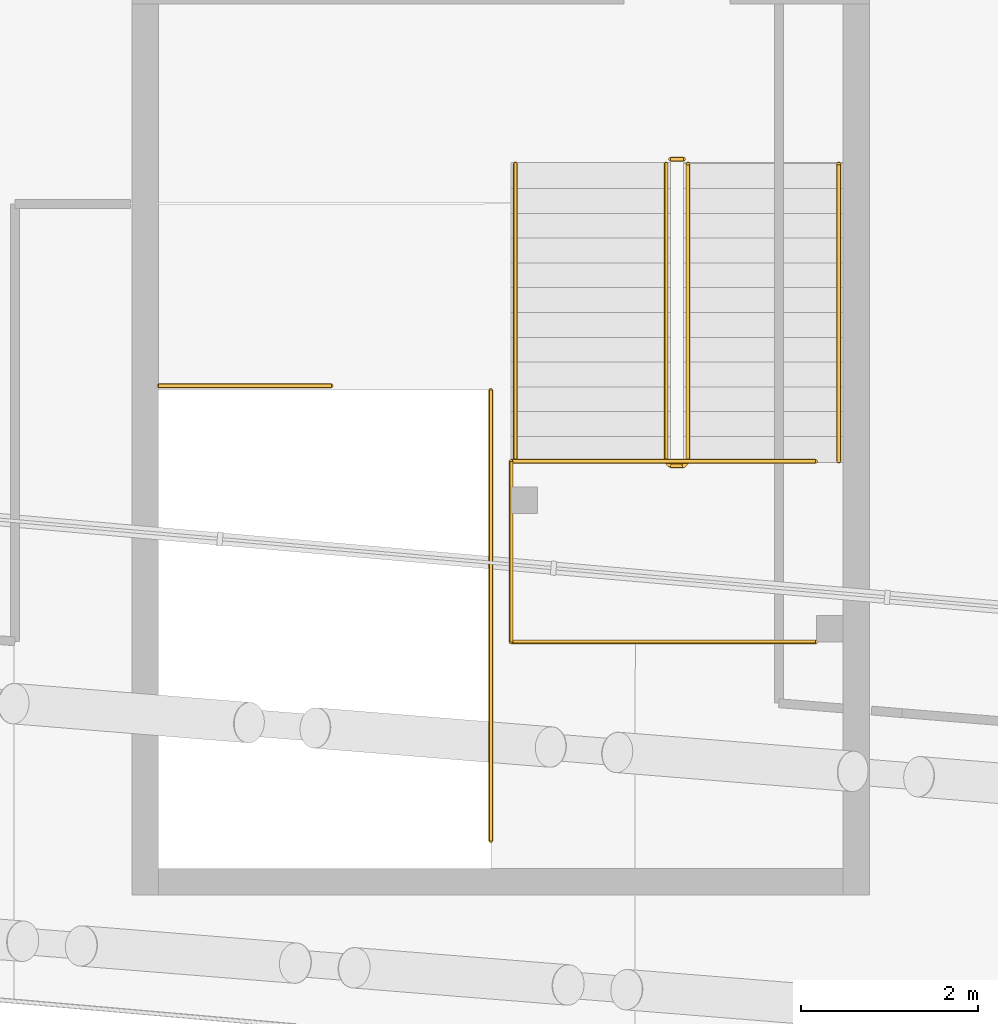
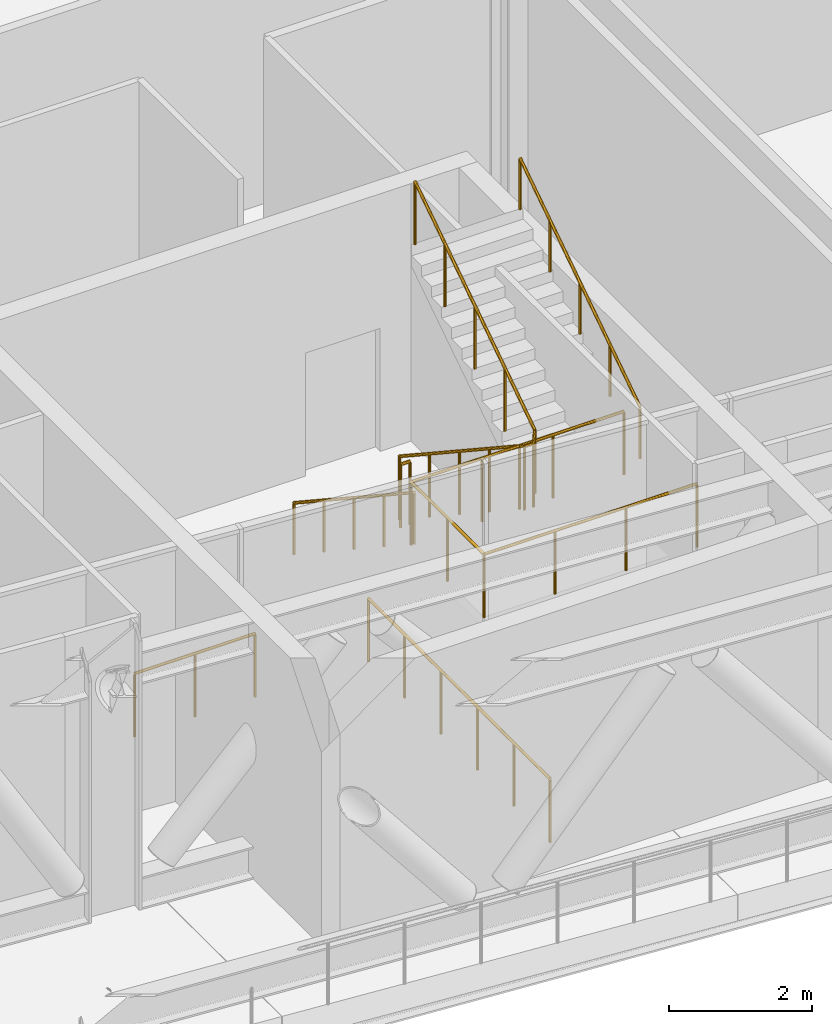
# One storey, part 36 of 39: 9 railings.
"""IFC4 building model written with IfcOpenShell, lengths in metres."""

from ifc_helpers import new_model, si_unit, direction, frame, origin, origin_2d, place, context, subcontext, project, spatial, circle, extrude, material, type_object, element, save


model = new_model("IFC4")

# Units and contexts
model_context = context("Model", 3, precision=1e-05, world=origin(), true_north=direction((0.0, 1.0)))
body_context = subcontext(model_context, "Body", "Model", "MODEL_VIEW")
ifc_project = project(units=[si_unit("LENGTHUNIT", "METRE"), si_unit("AREAUNIT", "SQUARE_METRE"), si_unit("VOLUMEUNIT", "CUBIC_METRE"), si_unit("PLANEANGLEUNIT", "RADIAN"), si_unit("MASSUNIT", "GRAM", prefix="KILO")], contexts=[model_context])

# Site, building, storey
site_placement = place(None, origin())
site = spatial("IfcSite", under=ifc_project, at=site_placement, CompositionType="ELEMENT")
building_placement = place(site_placement, origin())
building = spatial("IfcBuilding", under=site, at=building_placement, Name="Wharfspan Tower", CompositionType="ELEMENT")
storey_placement = place(building_placement, frame((0.0, 0.0, 91.899902)))
storey = spatial("IfcBuildingStorey", under=building, at=storey_placement, Name="L20", CompositionType="ELEMENT", Elevation=91.899902)

# Railings
ifc_material = material(Name="Steel S355J2", Category="steel")
railing_type_1 = type_object("IfcRailingType", Name="Stair guard 1100", PredefinedType="GUARDRAIL", material=ifc_material)
railing_1_placement = place(storey_placement, frame((41.485352, 2.957031, 2.400146)))
element("IfcRailing", 1, at=railing_1_placement, inside=storey, type_object=railing_type_1, Name="L20 ST4 band guard 1", PredefinedType="GUARDRAIL", context=body_context, shape_type="SweptSolid", body=[
    extrude(circle(Radius=0.023926, at=origin_2d()), frame((0.0, 0.0, 1.076172), z_axis=(0.0, -1.0, 0.0), x_axis=(1.0, 0.0, 0.0)), (0.0, 0.0, 1.0), 2.040039),
    extrude(circle(Radius=0.020996, at=origin_2d()), origin(), (0.0, 0.0, 1.0), 1.052002),
    extrude(circle(Radius=0.020996, at=origin_2d()), frame((0.0, -1.02002, 0.0)), (0.0, 0.0, 1.0), 1.052002),
    extrude(circle(Radius=0.020996, at=origin_2d()), frame((0.0, -2.040039, 0.0)), (0.0, 0.0, 1.0), 1.052002),
])
railing_2_placement = place(storey_placement, frame((41.485352, 0.916992, 2.400146)))
element("IfcRailing", 2, at=railing_2_placement, inside=storey, type_object=railing_type_1, Name="L20 ST4 band guard 2", PredefinedType="GUARDRAIL", context=body_context, shape_type="SweptSolid", body=[
    extrude(circle(Radius=0.023926, at=origin_2d()), frame((0.0, 0.0, 1.076172), z_axis=(1.0, 0.0, 0.0), x_axis=(0.0, 1.0, 0.0)), (0.0, 0.0, 1.0), 3.439941),
    extrude(circle(Radius=0.020996, at=origin_2d()), origin(), (0.0, 0.0, 1.0), 1.052002),
    extrude(circle(Radius=0.020996, at=origin_2d()), frame((1.146729, 0.0, 0.0)), (0.0, 0.0, 1.0), 1.052002),
    extrude(circle(Radius=0.020996, at=origin_2d()), frame((2.293213, 0.0, 0.0)), (0.0, 0.0, 1.0), 1.052002),
    extrude(circle(Radius=0.020996, at=origin_2d()), frame((3.439941, 0.0, 0.0)), (0.0, 0.0, 1.0), 1.052002),
])
railing_3_placement = place(storey_placement, frame((44.925293, 2.957031, 2.400146)))
element("IfcRailing", 3, at=railing_3_placement, inside=storey, type_object=railing_type_1, Name="L20 ST4 band guard 3", PredefinedType="GUARDRAIL", context=body_context, shape_type="SweptSolid", body=[
    extrude(circle(Radius=0.023926, at=origin_2d()), frame((0.0, 0.0, 1.076172), z_axis=(-1.0, 0.0, 0.0), x_axis=(0.0, -1.0, 0.0)), (0.0, 0.0, 1.0), 3.439941),
    extrude(circle(Radius=0.020996, at=origin_2d()), origin(), (0.0, 0.0, 1.0), 1.052002),
    extrude(circle(Radius=0.020996, at=origin_2d()), frame((-1.146729, 0.0, 0.0)), (0.0, 0.0, 1.0), 1.052002),
    extrude(circle(Radius=0.020996, at=origin_2d()), frame((-2.293213, 0.0, 0.0)), (0.0, 0.0, 1.0), 1.052002),
    extrude(circle(Radius=0.020996, at=origin_2d()), frame((-3.439941, 0.0, 0.0)), (0.0, 0.0, 1.0), 1.052002),
])
railing_4_placement = place(storey_placement, frame((41.258301, -1.329346, 0.0)))
element("IfcRailing", 4, at=railing_4_placement, inside=storey, type_object=railing_type_1, Name="L20 ST4 band guard 4", PredefinedType="GUARDRAIL", context=body_context, shape_type="SweptSolid", body=[
    extrude(circle(Radius=0.023926, at=origin_2d()), frame((0.0, 0.0, 1.076172), z_axis=(0.0, 1.0, 0.0), x_axis=(-1.0, 0.0, 0.0)), (0.0, 0.0, 1.0), 5.089844),
    extrude(circle(Radius=0.020996, at=origin_2d()), origin(), (0.0, 0.0, 1.0), 1.052002),
    extrude(circle(Radius=0.020996, at=origin_2d()), frame((0.0, 1.018066, 0.0)), (0.0, 0.0, 1.0), 1.052002),
    extrude(circle(Radius=0.020996, at=origin_2d()), frame((0.0, 2.035889, 0.0)), (0.0, 0.0, 1.0), 1.052002),
    extrude(circle(Radius=0.020996, at=origin_2d()), frame((0.0, 3.053955, 0.0)), (0.0, 0.0, 1.0), 1.052002),
    extrude(circle(Radius=0.020996, at=origin_2d()), frame((0.0, 4.071777, 0.0)), (0.0, 0.0, 1.0), 1.052002),
    extrude(circle(Radius=0.020996, at=origin_2d()), frame((0.0, 5.089844, 0.0)), (0.0, 0.0, 1.0), 1.052002),
])
railing_5_placement = place(storey_placement, frame((37.508301, 3.810547, 0.0)))
element("IfcRailing", 5, at=railing_5_placement, inside=storey, type_object=railing_type_1, Name="L20 ST4 top well guard 1", PredefinedType="GUARDRAIL", context=body_context, shape_type="SweptSolid", body=[
    extrude(circle(Radius=0.023926, at=origin_2d()), frame((0.0, 0.0, 1.076172), z_axis=(1.0, 0.0, 0.0), x_axis=(0.0, 1.0, 0.0)), (0.0, 0.0, 1.0), 1.949951),
    extrude(circle(Radius=0.020996, at=origin_2d()), origin(), (0.0, 0.0, 1.0), 1.052002),
    extrude(circle(Radius=0.020996, at=origin_2d()), frame((0.975098, 0.0, 0.0)), (0.0, 0.0, 1.0), 1.052002),
    extrude(circle(Radius=0.020996, at=origin_2d()), frame((1.949951, 0.0, 0.0)), (0.0, 0.0, 1.0), 1.052002),
])
railing_6_placement = place(storey_placement, frame((43.235352, 6.316895, 0.184814)))
element("IfcRailing", 6, at=railing_6_placement, inside=storey, type_object=railing_type_1, Name="L20 ST4 stair guard 1", PredefinedType="GUARDRAIL", context=body_context, shape_type="SweptSolid", body=[
    extrude(circle(Radius=0.023926, at=origin_2d()), frame((0.0, 0.0, 1.076172), z_axis=(0.0, -0.834858, 0.550465), x_axis=(1.0, 0.0, 0.0)), (0.0, 0.0, 1.0), 4.024414),
    extrude(circle(Radius=0.023926, at=origin_2d()), frame((0.0, -3.359863, 3.291504), z_axis=(0.705376, -0.708834, 0.0), x_axis=(0.708834, 0.705376, 0.0)), (0.0, 0.0, 1.0), 0.070557),
    extrude(circle(Radius=0.023926, at=origin_2d()), frame((0.049805, -3.409912, 3.291504), z_axis=(1.0, 0.0, 0.0), x_axis=(0.0, 1.0, 0.0)), (0.0, 0.0, 1.0), 0.150146),
    extrude(circle(Radius=0.023926, at=origin_2d()), frame((0.199951, -3.409912, 3.291504), z_axis=(0.253186, 0.253186, 0.933699), x_axis=(-0.707107, 0.707107, 0.0)), (0.0, 0.0, 1.0), 0.197754),
    extrude(circle(Radius=0.023926, at=origin_2d()), frame((0.25, -3.359863, 3.476074), z_axis=(0.0, 0.834858, 0.550465), x_axis=(-1.0, 0.0, 0.0)), (0.0, 0.0, 1.0), 4.024414),
    extrude(circle(Radius=0.020996, at=origin_2d()), origin(), (0.0, 0.0, 1.0), 1.052002),
    extrude(circle(Radius=0.020996, at=origin_2d()), frame((0.0, -0.839844, 0.553711)), (0.0, 0.0, 1.0), 1.052002),
    extrude(circle(Radius=0.020996, at=origin_2d()), frame((0.0, -1.679932, 1.107666)), (0.0, 0.0, 1.0), 1.052002),
    extrude(circle(Radius=0.020996, at=origin_2d()), frame((0.0, -2.52002, 1.661621)), (0.0, 0.0, 1.0), 1.052002),
    extrude(circle(Radius=0.020996, at=origin_2d()), frame((0.0, -3.359863, 2.215332)), (0.0, 0.0, 1.0), 1.052002),
    extrude(circle(Radius=0.020996, at=origin_2d()), frame((0.049805, -3.409912, 2.215332)), (0.0, 0.0, 1.0), 1.052002),
    extrude(circle(Radius=0.020996, at=origin_2d()), frame((0.199951, -3.409912, 2.215332)), (0.0, 0.0, 1.0), 1.052002),
    extrude(circle(Radius=0.020996, at=origin_2d()), frame((0.25, -3.359863, 2.399902)), (0.0, 0.0, 1.0), 1.052002),
    extrude(circle(Radius=0.020996, at=origin_2d()), frame((0.25, -2.52002, 2.953613)), (0.0, 0.0, 1.0), 1.052002),
    extrude(circle(Radius=0.020996, at=origin_2d()), frame((0.25, -1.679932, 3.507568)), (0.0, 0.0, 1.0), 1.052002),
    extrude(circle(Radius=0.020996, at=origin_2d()), frame((0.25, -0.839844, 4.061523)), (0.0, 0.0, 1.0), 1.052002),
    extrude(circle(Radius=0.020996, at=origin_2d()), frame((0.25, 0.0, 4.615234)), (0.0, 0.0, 1.0), 1.052002),
])
railing_7_placement = place(storey_placement, frame((43.285156, 6.366943, 0.0)))
element("IfcRailing", 7, at=railing_7_placement, inside=storey, type_object=railing_type_1, Name="L20 ST4 stair guard 2", PredefinedType="GUARDRAIL", context=body_context, shape_type="SweptSolid", body=[
    extrude(circle(Radius=0.023926, at=origin_2d()), frame((0.0, 0.0, 1.076172), z_axis=(1.0, 0.0, 0.0), x_axis=(0.0, 1.0, 0.0)), (0.0, 0.0, 1.0), 0.150146),
    extrude(circle(Radius=0.020996, at=origin_2d()), origin(), (0.0, 0.0, 1.0), 1.052002),
    extrude(circle(Radius=0.020996, at=origin_2d()), frame((0.150146, 0.0, 0.0)), (0.0, 0.0, 1.0), 1.052002),
])
railing_type_2 = type_object("IfcRailingType", Name="Stair handrail 900", PredefinedType="HANDRAIL", material=ifc_material)
railing_8_placement = place(storey_placement, frame((41.535156, 6.316895, 0.184814)))
element("IfcRailing", 8, at=railing_8_placement, inside=storey, type_object=railing_type_2, Name="L20 ST4 stair handrail 1", PredefinedType="HANDRAIL", context=body_context, shape_type="SweptSolid", body=[
    extrude(circle(Radius=0.023926, at=origin_2d()), frame((0.0, 0.0, 0.875977), z_axis=(0.0, -0.834858, 0.550465), x_axis=(1.0, 0.0, 0.0)), (0.0, 0.0, 1.0), 4.024414),
    extrude(circle(Radius=0.020996, at=origin_2d()), origin(), (0.0, 0.0, 1.0), 0.851807),
    extrude(circle(Radius=0.020996, at=origin_2d()), frame((0.0, -0.839844, 0.553711)), (0.0, 0.0, 1.0), 0.851807),
    extrude(circle(Radius=0.020996, at=origin_2d()), frame((0.0, -1.679932, 1.107666)), (0.0, 0.0, 1.0), 0.851807),
    extrude(circle(Radius=0.020996, at=origin_2d()), frame((0.0, -2.52002, 1.661621)), (0.0, 0.0, 1.0), 0.851807),
    extrude(circle(Radius=0.020996, at=origin_2d()), frame((0.0, -3.359863, 2.215332)), (0.0, 0.0, 1.0), 0.851807),
])
railing_9_placement = place(storey_placement, frame((45.185303, 2.957031, 2.584717)))
element("IfcRailing", 9, at=railing_9_placement, inside=storey, type_object=railing_type_2, Name="L20 ST4 stair handrail 2", PredefinedType="HANDRAIL", context=body_context, shape_type="SweptSolid", body=[
    extrude(circle(Radius=0.023926, at=origin_2d()), frame((0.0, 0.0, 0.875977), z_axis=(0.0, 0.834858, 0.550465), x_axis=(-1.0, 0.0, 0.0)), (0.0, 0.0, 1.0), 4.024414),
    extrude(circle(Radius=0.020996, at=origin_2d()), origin(), (0.0, 0.0, 1.0), 0.851807),
    extrude(circle(Radius=0.020996, at=origin_2d()), frame((0.0, 0.839844, 0.553711)), (0.0, 0.0, 1.0), 0.851807),
    extrude(circle(Radius=0.020996, at=origin_2d()), frame((0.0, 1.679932, 1.107666)), (0.0, 0.0, 1.0), 0.851807),
    extrude(circle(Radius=0.020996, at=origin_2d()), frame((0.0, 2.52002, 1.661621)), (0.0, 0.0, 1.0), 0.851807),
    extrude(circle(Radius=0.020996, at=origin_2d()), frame((0.0, 3.359863, 2.215332)), (0.0, 0.0, 1.0), 0.851807),
])

save(model, "model.ifc")
